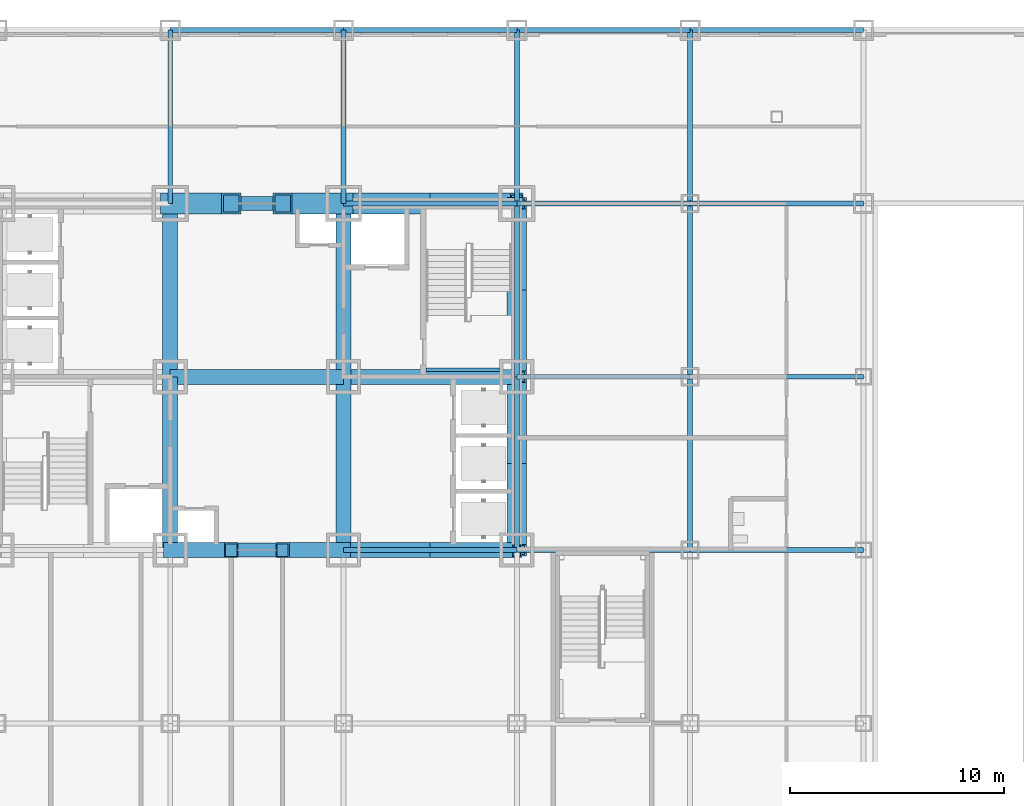
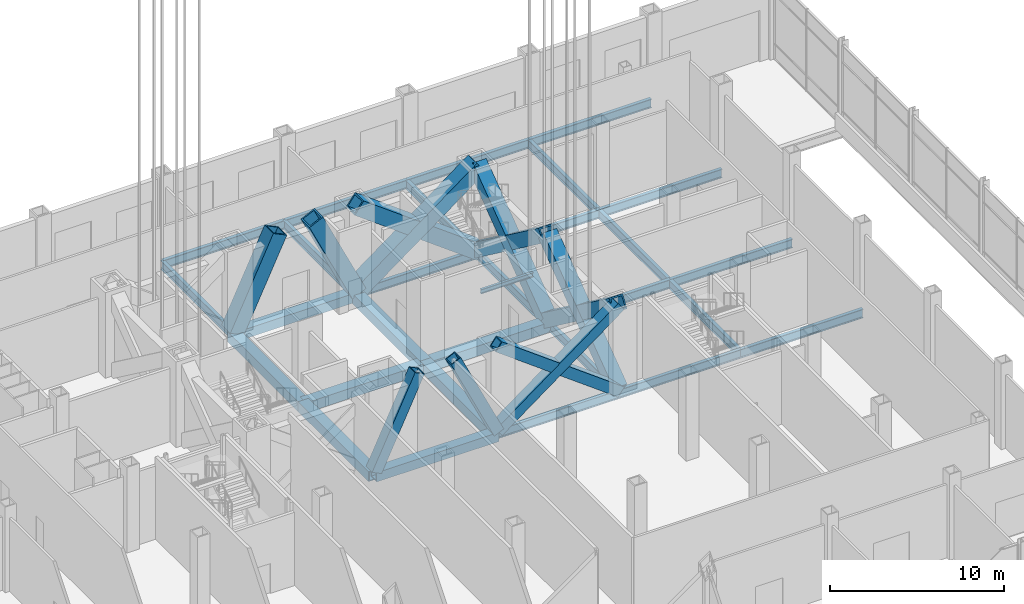
# One storey, part 16 of 35: 29 beams, 12 members.
"""IFC4 building model written with IfcOpenShell, lengths in metres."""

from ifc_helpers import new_model, si_unit, direction, frame, origin, origin_2d, place, context, subcontext, project, spatial, hollow_rectangle, i_section, extrude, material, material_profile, profile_set, type_object, element, save


model = new_model("IFC4")

# Units and contexts
model_context = context("Model", 3, precision=1e-05, world=origin(), true_north=direction((0.0, 1.0)))
body_context = subcontext(model_context, "Body", "Model", "MODEL_VIEW")
ifc_project = project(units=[si_unit("LENGTHUNIT", "METRE"), si_unit("AREAUNIT", "SQUARE_METRE"), si_unit("VOLUMEUNIT", "CUBIC_METRE"), si_unit("PLANEANGLEUNIT", "RADIAN"), si_unit("MASSUNIT", "GRAM", prefix="KILO")], contexts=[model_context])

# Site, building, storey
site_placement = place(None, origin())
site = spatial("IfcSite", under=ifc_project, at=site_placement, CompositionType="ELEMENT")
building_placement = place(site_placement, origin())
building = spatial("IfcBuilding", under=site, at=building_placement, Name="Kopane Lantern Tower", CompositionType="ELEMENT")
storey_placement = place(building_placement, origin())
storey = spatial("IfcBuildingStorey", under=building, at=storey_placement, Name="L00", CompositionType="ELEMENT", Elevation=0.0)

# Members
ifc_material_1 = material(Name="Steel S355JR", Category="steel")
ifc_material_profile_1 = material_profile(ifc_material_1, hollow_rectangle(XDim=1.0, YDim=1.0, WallThickness=0.10009765625, at=origin_2d()), Name="BOX 1000x1000x100")
ifc_profile_set_1 = profile_set([ifc_material_profile_1], Name="Steel S355JR")
member_type_1 = type_object("IfcMemberType", Name="BRACE BOX 1000x1000x100", PredefinedType="BRACE", material=ifc_profile_set_1)
for number, where, z_axis, x_axis, name in (
    (1, (24.300048828125, 40.5, -0.25), (0.429038821311, 0.0, 0.903286050932), (0.0, 1.0, 0.0), "Core brace L00"),
    (2, (32.39990234375, 40.5, -0.25), (-0.429038821311, 0.0, 0.903286050932), (0.0, -1.0, 0.0), "Core brace L00"),
):
    element("IfcMember", number, at=place(storey_placement, frame(where, z_axis=z_axis, x_axis=x_axis)), inside=storey, type_object=member_type_1, Name=name, PredefinedType="BRACE", context=body_context, shape_type="SweptSolid", body=[
        extrude(hollow_rectangle(XDim=1.0, YDim=1.0, WallThickness=0.10009765625, at=origin_2d()), origin(), (0.0, 0.0, 1.0), 6.642333984375),
    ])
for number, where, z_axis, x_axis, name in (
    (3, (32.39990234375, 40.5, -0.25), (0.803560625704, 0.0, 0.595222916912), (0.0, 1.0, 0.0), "Core brace L00"),
    (4, (40.5, 40.5, -0.25), (-0.803560625704, 0.0, 0.595222916912), (0.0, -1.0, 0.0), "Core brace L00"),
):
    element("IfcMember", number, at=place(storey_placement, frame(where, z_axis=z_axis, x_axis=x_axis)), inside=storey, type_object=member_type_1, Name=name, PredefinedType="BRACE", context=body_context, shape_type="SweptSolid", body=[
        extrude(hollow_rectangle(XDim=1.0, YDim=1.0, WallThickness=0.10009765625, at=origin_2d()), origin(), (0.0, 0.0, 1.0), 10.080322265625),
    ])
ifc_material_2 = material(Name="Steel S355JR", Category="steel")
ifc_material_profile_2 = material_profile(ifc_material_2, hollow_rectangle(XDim=0.699951171875, YDim=0.699951171875, WallThickness=0.06005859375, at=origin_2d()), Name="BOX 700x700x60")
ifc_profile_set_2 = profile_set([ifc_material_profile_2], Name="Steel S355JR")
member_type_2 = type_object("IfcMemberType", Name="BRACE BOX 700x700x60", PredefinedType="BRACE", material=ifc_profile_set_2)
for number, where, z_axis, x_axis, name in (
    (5, (24.300048828125, 24.300048828125, -0.25), (0.429038821311, 0.0, 0.903286050932), (0.0, 1.0, 0.0), "Core brace L00"),
    (6, (32.39990234375, 24.300048828125, -0.25), (-0.429038821311, 0.0, 0.903286050932), (0.0, -1.0, 0.0), "Core brace L00"),
):
    element("IfcMember", number, at=place(storey_placement, frame(where, z_axis=z_axis, x_axis=x_axis)), inside=storey, type_object=member_type_2, Name=name, PredefinedType="BRACE", context=body_context, shape_type="SweptSolid", body=[
        extrude(hollow_rectangle(XDim=0.699951171875, YDim=0.699951171875, WallThickness=0.06005859375, at=origin_2d()), origin(), (0.0, 0.0, 1.0), 6.642333984375),
    ])
for number, where, z_axis, x_axis, name in (
    (7, (32.39990234375, 24.300048828125, -0.25), (0.803560625704, 0.0, 0.595222916912), (0.0, 1.0, 0.0), "Core brace L00"),
    (8, (40.5, 24.300048828125, -0.25), (-0.803560625704, 0.0, 0.595222916912), (0.0, -1.0, 0.0), "Core brace L00"),
):
    element("IfcMember", number, at=place(storey_placement, frame(where, z_axis=z_axis, x_axis=x_axis)), inside=storey, type_object=member_type_2, Name=name, PredefinedType="BRACE", context=body_context, shape_type="SweptSolid", body=[
        extrude(hollow_rectangle(XDim=0.699951171875, YDim=0.699951171875, WallThickness=0.06005859375, at=origin_2d()), origin(), (0.0, 0.0, 1.0), 10.080322265625),
    ])
ifc_material_3 = material(Name="Steel S355JR", Category="steel")
ifc_material_profile_3 = material_profile(ifc_material_3, hollow_rectangle(XDim=0.89990234375, YDim=0.89990234375, WallThickness=0.090087890625, at=origin_2d()), Name="BOX 900x900x90")
ifc_profile_set_3 = profile_set([ifc_material_profile_3], Name="Steel S355JR")
member_type_3 = type_object("IfcMemberType", Name="BRACE BOX 900x900x90", PredefinedType="BRACE", material=ifc_profile_set_3)
for number, where, z_axis, x_axis, name in (
    (9, (40.5, 24.300048828125, -0.25), (0.0, 0.803552044655, 0.595234501294), (-1.0, 0.0, 0.0), "Core brace L00"),
    (10, (40.5, 32.39990234375, -0.25), (0.0, -0.803552044655, 0.595234501294), (1.0, 0.0, 0.0), "Core brace L00"),
):
    element("IfcMember", number, at=place(storey_placement, frame(where, z_axis=z_axis, x_axis=x_axis)), inside=storey, type_object=member_type_3, Name=name, PredefinedType="BRACE", context=body_context, shape_type="SweptSolid", body=[
        extrude(hollow_rectangle(XDim=0.89990234375, YDim=0.89990234375, WallThickness=0.090087890625, at=origin_2d()), origin(), (0.0, 0.0, 1.0), 10.080078125),
    ])
for number, where, z_axis, x_axis, name in (
    (11, (40.5, 32.39990234375, -0.25), (0.0, 0.803560625704, 0.595222916912), (-1.0, 0.0, 0.0), "Core brace L00"),
    (12, (40.5, 40.5, -0.25), (0.0, -0.803560625704, 0.595222916912), (1.0, 0.0, 0.0), "Core brace L00"),
):
    element("IfcMember", number, at=place(storey_placement, frame(where, z_axis=z_axis, x_axis=x_axis)), inside=storey, type_object=member_type_3, Name=name, PredefinedType="BRACE", context=body_context, shape_type="SweptSolid", body=[
        extrude(hollow_rectangle(XDim=0.89990234375, YDim=0.89990234375, WallThickness=0.090087890625, at=origin_2d()), origin(), (0.0, 0.0, 1.0), 10.080322265625),
    ])

# Beams
ifc_material_4 = material(Name="Steel S355JR", Category="steel")
ifc_material_profile_4 = material_profile(ifc_material_4, hollow_rectangle(XDim=0.699951171875, YDim=0.699951171875, WallThickness=0.06005859375, at=origin_2d()), Name="BOX 700x700x60")
ifc_profile_set_4 = profile_set([ifc_material_profile_4], Name="Steel S355JR")
beam_type_1 = type_object("IfcBeamType", Name="CORE BEAM BOX 700x700x60", PredefinedType="BEAM", material=ifc_profile_set_4)
beam_1_placement = place(storey_placement, frame((24.300048828125, 24.300048828125, -0.60009765625), z_axis=(0.0, 1.0, 0.0), x_axis=(-1.0, 0.0, 0.0)))
element("IfcBeam", 13, at=beam_1_placement, inside=storey, type_object=beam_type_1, Name="Core Beam L00", PredefinedType="BEAM", context=body_context, shape_type="SweptSolid", body=[
    extrude(hollow_rectangle(XDim=0.699951171875, YDim=0.699951171875, WallThickness=0.06005859375, at=origin_2d()), origin(), (0.0, 0.0, 1.0), 8.099853515625),
])
beam_2_placement = place(storey_placement, frame((24.300048828125, 32.39990234375, -0.60009765625), z_axis=(0.0, 1.0, 0.0), x_axis=(-1.0, 0.0, 0.0)))
element("IfcBeam", 14, at=beam_2_placement, inside=storey, type_object=beam_type_1, Name="Core Beam L00", PredefinedType="BEAM", context=body_context, shape_type="SweptSolid", body=[
    extrude(hollow_rectangle(XDim=0.699951171875, YDim=0.699951171875, WallThickness=0.06005859375, at=origin_2d()), origin(), (0.0, 0.0, 1.0), 8.10009765625),
])
for number, where, z_axis, x_axis, name in (
    (15, (24.300048828125, 32.39990234375, -0.60009765625), (1.0, 0.0, 0.0), (0.0, 1.0, 0.0), "Core Beam L00"),
    (16, (32.39990234375, 24.300048828125, -0.60009765625), (0.0, 1.0, 0.0), (-1.0, 0.0, 0.0), "Core Beam L00"),
):
    element("IfcBeam", number, at=place(storey_placement, frame(where, z_axis=z_axis, x_axis=x_axis)), inside=storey, type_object=beam_type_1, Name=name, PredefinedType="BEAM", context=body_context, shape_type="SweptSolid", body=[
        extrude(hollow_rectangle(XDim=0.699951171875, YDim=0.699951171875, WallThickness=0.06005859375, at=origin_2d()), origin(), (0.0, 0.0, 1.0), 8.099853515625),
    ])
for number, where, z_axis, x_axis, name in (
    (17, (32.39990234375, 32.39990234375, -0.60009765625), (0.0, 1.0, 0.0), (-1.0, 0.0, 0.0), "Core Beam L00"),
    (18, (32.39990234375, 32.39990234375, -0.60009765625), (1.0, 0.0, 0.0), (0.0, 1.0, 0.0), "Core Beam L00"),
):
    element("IfcBeam", number, at=place(storey_placement, frame(where, z_axis=z_axis, x_axis=x_axis)), inside=storey, type_object=beam_type_1, Name=name, PredefinedType="BEAM", context=body_context, shape_type="SweptSolid", body=[
        extrude(hollow_rectangle(XDim=0.699951171875, YDim=0.699951171875, WallThickness=0.06005859375, at=origin_2d()), origin(), (0.0, 0.0, 1.0), 8.10009765625),
    ])
ifc_material_5 = material(Name="Steel S355JR", Category="steel")
ifc_material_profile_5 = material_profile(ifc_material_5, i_section(OverallWidth=0.22900390625, OverallDepth=0.6123046875, WebThickness=0.011962890625, FlangeThickness=0.01953125, FilletRadius=0.0126953125, at=origin_2d()), Name="UB 610x229x125")
ifc_profile_set_5 = profile_set([ifc_material_profile_5], Name="Steel S355JR")
beam_type_2 = type_object("IfcBeamType", Name="GIRDER UB 610x229x125", PredefinedType="BEAM", material=ifc_profile_set_5)
beam_3_placement = place(storey_placement, frame((24.300048828125, 40.5, -0.55615234375), z_axis=(0.0, 1.0, 0.0), x_axis=(-1.0, 0.0, 0.0)))
element("IfcBeam", 19, at=beam_3_placement, inside=storey, type_object=beam_type_2, Name="Girder L00", PredefinedType="BEAM", context=body_context, shape_type="SweptSolid", body=[
    extrude(i_section(OverallWidth=0.22900390625, OverallDepth=0.6123046875, WebThickness=0.011962890625, FlangeThickness=0.01953125, FilletRadius=0.0126953125, at=origin_2d()), origin(), (0.0, 0.0, 1.0), 8.10009765625),
])
beam_4_placement = place(storey_placement, frame((24.300048828125, 48.60009765625, -0.55615234375), z_axis=(1.0, 0.0, 0.0), x_axis=(0.0, 1.0, 0.0)))
element("IfcBeam", 20, at=beam_4_placement, inside=storey, type_object=beam_type_2, Name="Girder L00", PredefinedType="BEAM", context=body_context, shape_type="SweptSolid", body=[
    extrude(i_section(OverallWidth=0.22900390625, OverallDepth=0.6123046875, WebThickness=0.011962890625, FlangeThickness=0.01953125, FilletRadius=0.0126953125, at=origin_2d()), origin(), (0.0, 0.0, 1.0), 8.099853515625),
])
for number, where, z_axis, x_axis, name in (
    (21, (32.39990234375, 24.300048828125, -0.55615234375), (1.0, 0.0, 0.0), (0.0, 1.0, 0.0), "Girder L00"),
    (22, (32.39990234375, 40.5, -0.55615234375), (0.0, 1.0, 0.0), (-1.0, 0.0, 0.0), "Girder L00"),
    (23, (32.39990234375, 40.5, -0.55615234375), (1.0, 0.0, 0.0), (0.0, 1.0, 0.0), "Girder L00"),
    (24, (32.39990234375, 48.60009765625, -0.55615234375), (1.0, 0.0, 0.0), (0.0, 1.0, 0.0), "Girder L00"),
):
    element("IfcBeam", number, at=place(storey_placement, frame(where, z_axis=z_axis, x_axis=x_axis)), inside=storey, type_object=beam_type_2, Name=name, PredefinedType="BEAM", context=body_context, shape_type="SweptSolid", body=[
        extrude(i_section(OverallWidth=0.22900390625, OverallDepth=0.6123046875, WebThickness=0.011962890625, FlangeThickness=0.01953125, FilletRadius=0.0126953125, at=origin_2d()), origin(), (0.0, 0.0, 1.0), 8.10009765625),
    ])
beam_5_placement = place(storey_placement, frame((40.5, 24.300048828125, -0.55615234375), z_axis=(0.0, 1.0, 0.0), x_axis=(-1.0, 0.0, 0.0)))
element("IfcBeam", 25, at=beam_5_placement, inside=storey, type_object=beam_type_2, Name="Girder L00", PredefinedType="BEAM", context=body_context, shape_type="SweptSolid", body=[
    extrude(i_section(OverallWidth=0.22900390625, OverallDepth=0.6123046875, WebThickness=0.011962890625, FlangeThickness=0.01953125, FilletRadius=0.0126953125, at=origin_2d()), origin(), (0.0, 0.0, 1.0), 8.099853515625),
])
for number, where, z_axis, x_axis, name in (
    (26, (40.5, 24.300048828125, -0.55615234375), (1.0, 0.0, 0.0), (0.0, 1.0, 0.0), "Girder L00"),
    (27, (40.5, 32.39990234375, -0.55615234375), (0.0, 1.0, 0.0), (-1.0, 0.0, 0.0), "Girder L00"),
    (28, (40.5, 32.39990234375, -0.55615234375), (1.0, 0.0, 0.0), (0.0, 1.0, 0.0), "Girder L00"),
    (29, (40.5, 40.5, -0.55615234375), (0.0, 1.0, 0.0), (-1.0, 0.0, 0.0), "Girder L00"),
    (30, (40.5, 40.5, -0.55615234375), (1.0, 0.0, 0.0), (0.0, 1.0, 0.0), "Girder L00"),
    (31, (40.5, 48.60009765625, -0.55615234375), (1.0, 0.0, 0.0), (0.0, 1.0, 0.0), "Girder L00"),
):
    element("IfcBeam", number, at=place(storey_placement, frame(where, z_axis=z_axis, x_axis=x_axis)), inside=storey, type_object=beam_type_2, Name=name, PredefinedType="BEAM", context=body_context, shape_type="SweptSolid", body=[
        extrude(i_section(OverallWidth=0.22900390625, OverallDepth=0.6123046875, WebThickness=0.011962890625, FlangeThickness=0.01953125, FilletRadius=0.0126953125, at=origin_2d()), origin(), (0.0, 0.0, 1.0), 8.10009765625),
    ])
for number, where, z_axis, x_axis, name in (
    (32, (48.60009765625, 24.300048828125, -0.55615234375), (0.0, 1.0, 0.0), (-1.0, 0.0, 0.0), "Girder L00"),
    (33, (48.60009765625, 24.300048828125, -0.55615234375), (1.0, 0.0, 0.0), (0.0, 1.0, 0.0), "Girder L00"),
):
    element("IfcBeam", number, at=place(storey_placement, frame(where, z_axis=z_axis, x_axis=x_axis)), inside=storey, type_object=beam_type_2, Name=name, PredefinedType="BEAM", context=body_context, shape_type="SweptSolid", body=[
        extrude(i_section(OverallWidth=0.22900390625, OverallDepth=0.6123046875, WebThickness=0.011962890625, FlangeThickness=0.01953125, FilletRadius=0.0126953125, at=origin_2d()), origin(), (0.0, 0.0, 1.0), 8.099853515625),
    ])
beam_6_placement = place(storey_placement, frame((48.60009765625, 32.39990234375, -0.55615234375), z_axis=(0.0, 1.0, 0.0), x_axis=(-1.0, 0.0, 0.0)))
element("IfcBeam", 34, at=beam_6_placement, inside=storey, type_object=beam_type_2, Name="Girder L00", PredefinedType="BEAM", context=body_context, shape_type="SweptSolid", body=[
    extrude(i_section(OverallWidth=0.22900390625, OverallDepth=0.6123046875, WebThickness=0.011962890625, FlangeThickness=0.01953125, FilletRadius=0.0126953125, at=origin_2d()), origin(), (0.0, 0.0, 1.0), 8.10009765625),
])
beam_7_placement = place(storey_placement, frame((48.60009765625, 32.39990234375, -0.55615234375), z_axis=(1.0, 0.0, 0.0), x_axis=(0.0, 1.0, 0.0)))
element("IfcBeam", 35, at=beam_7_placement, inside=storey, type_object=beam_type_2, Name="Girder L00", PredefinedType="BEAM", context=body_context, shape_type="SweptSolid", body=[
    extrude(i_section(OverallWidth=0.22900390625, OverallDepth=0.6123046875, WebThickness=0.011962890625, FlangeThickness=0.01953125, FilletRadius=0.0126953125, at=origin_2d()), origin(), (0.0, 0.0, 1.0), 8.099853515625),
])
beam_8_placement = place(storey_placement, frame((48.60009765625, 40.5, -0.55615234375), z_axis=(0.0, 1.0, 0.0), x_axis=(-1.0, 0.0, 0.0)))
element("IfcBeam", 36, at=beam_8_placement, inside=storey, type_object=beam_type_2, Name="Girder L00", PredefinedType="BEAM", context=body_context, shape_type="SweptSolid", body=[
    extrude(i_section(OverallWidth=0.22900390625, OverallDepth=0.6123046875, WebThickness=0.011962890625, FlangeThickness=0.01953125, FilletRadius=0.0126953125, at=origin_2d()), origin(), (0.0, 0.0, 1.0), 8.10009765625),
])
for number, where, z_axis, x_axis, name in (
    (37, (48.60009765625, 40.5, -0.55615234375), (1.0, 0.0, 0.0), (0.0, 1.0, 0.0), "Girder L00"),
    (38, (48.60009765625, 48.60009765625, -0.55615234375), (1.0, 0.0, 0.0), (0.0, 1.0, 0.0), "Girder L00"),
):
    element("IfcBeam", number, at=place(storey_placement, frame(where, z_axis=z_axis, x_axis=x_axis)), inside=storey, type_object=beam_type_2, Name=name, PredefinedType="BEAM", context=body_context, shape_type="SweptSolid", body=[
        extrude(i_section(OverallWidth=0.22900390625, OverallDepth=0.6123046875, WebThickness=0.011962890625, FlangeThickness=0.01953125, FilletRadius=0.0126953125, at=origin_2d()), origin(), (0.0, 0.0, 1.0), 8.099853515625),
    ])
ifc_material_6 = material(Name="Steel S355JR", Category="steel")
ifc_material_profile_6 = material_profile(ifc_material_6, hollow_rectangle(XDim=0.64990234375, YDim=0.64990234375, WallThickness=0.070068359375, at=origin_2d()), Name="BOX 650x650x70")
ifc_profile_set_6 = profile_set([ifc_material_profile_6], Name="Steel S355JR")
beam_type_3 = type_object("IfcBeamType", Name="LINK BEAM BOX 650x650x70", PredefinedType="BEAM", material=ifc_profile_set_6)
for number, where, z_axis, x_axis, name in (
    (39, (24.300048828125, 24.300048828125, -0.574951171875), (1.0, 0.0, 0.0), (0.0, 1.0, 0.0), "Link Beam L00"),
    (40, (24.300048828125, 40.5, -0.574951171875), (1.0, 0.0, 0.0), (0.0, 1.0, 0.0), "Link Beam L00"),
):
    element("IfcBeam", number, at=place(storey_placement, frame(where, z_axis=z_axis, x_axis=x_axis)), inside=storey, type_object=beam_type_3, Name=name, PredefinedType="BEAM", context=body_context, shape_type="SweptSolid", body=[
        extrude(hollow_rectangle(XDim=0.64990234375, YDim=0.64990234375, WallThickness=0.070068359375, at=origin_2d()), origin(), (0.0, 0.0, 1.0), 8.099853515625),
    ])
ifc_material_7 = material(Name="Steel S355JR", Category="steel")
ifc_material_profile_7 = material_profile(ifc_material_7, i_section(OverallWidth=0.1650390625, OverallDepth=0.303466796875, WebThickness=0.006103515625, FlangeThickness=0.01025390625, FilletRadius=0.0087890625, at=origin_2d()), Name="UB 305x165x40")
ifc_profile_set_7 = profile_set([ifc_material_profile_7], Name="Steel S355JR")
beam_type_4 = type_object("IfcBeamType", Name="STAIR LANDING BEAM UB 305x165x40", PredefinedType="BEAM", material=ifc_profile_set_7)
beam_9_placement = place(storey_placement, frame((39.699951171875, 32.732421875, 2.981689453125), z_axis=(-1.0, 0.0, 0.0), x_axis=(0.0, -1.0, 0.0)))
element("IfcBeam", 41, at=beam_9_placement, inside=storey, type_object=beam_type_4, Name="Stair landing beam ST2 L00", PredefinedType="BEAM", context=body_context, shape_type="SweptSolid", body=[
    extrude(i_section(OverallWidth=0.1650390625, OverallDepth=0.303466796875, WebThickness=0.006103515625, FlangeThickness=0.01025390625, FilletRadius=0.0087890625, at=origin_2d()), origin(), (0.0, 0.0, 1.0), 3.449951171875),
])

save(model, "model.ifc")
